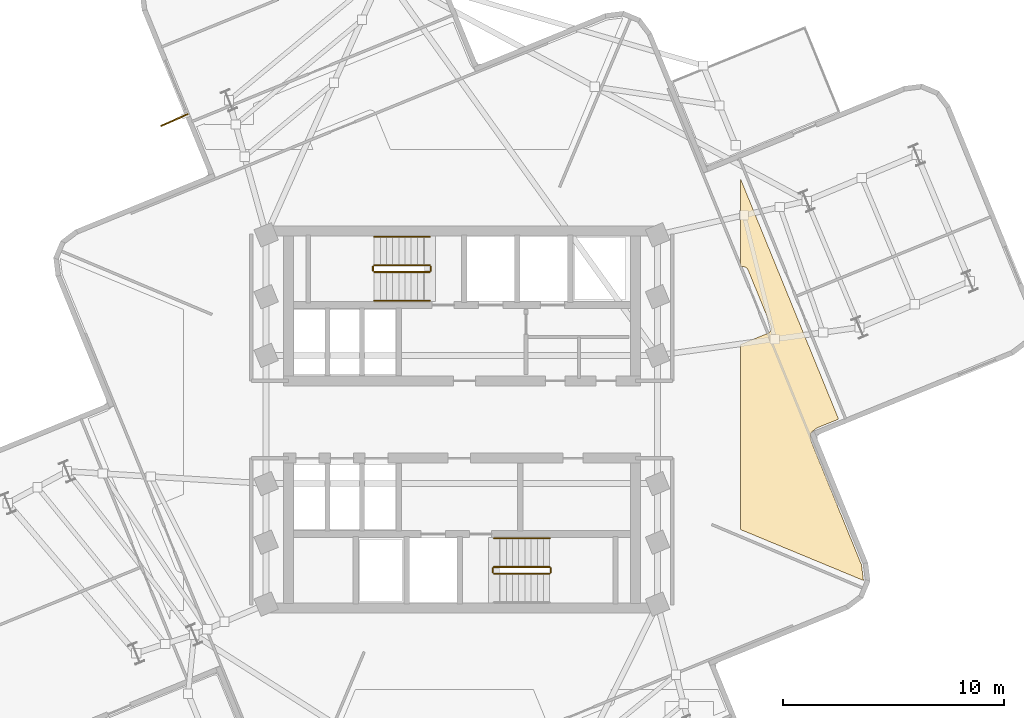
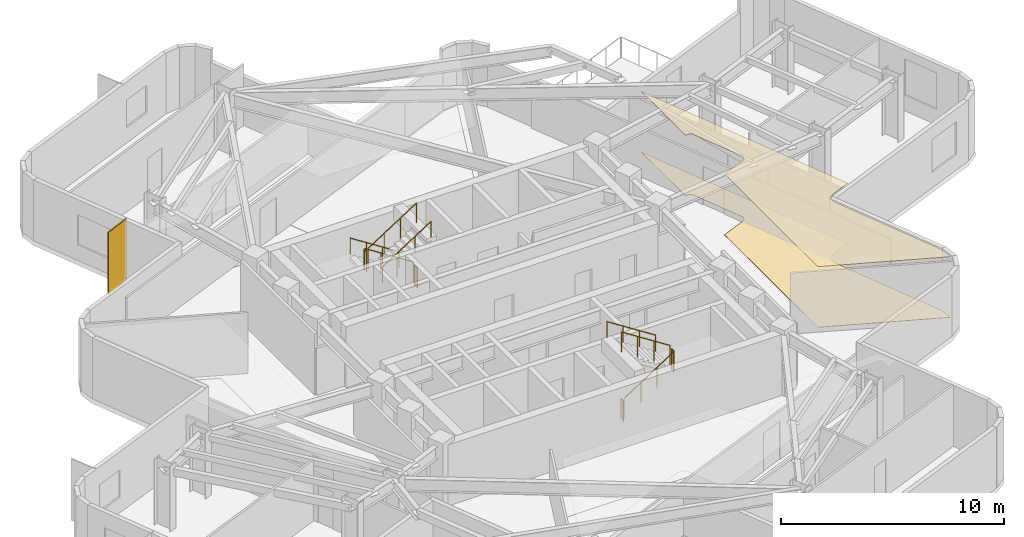
# One storey, part 7 of 8: 11 railings, 2 coverings, 1 shading device.
"""IFC4 building model written with IfcOpenShell, lengths in metres."""

from ifc_helpers import new_model, si_unit, direction, frame, origin, origin_2d, place, context, subcontext, project, spatial, polyline, rectangle, circle, outline, extrude, material, layer, layer_set, type_object, element, save


model = new_model("IFC4")

# Units and contexts
model_context = context("Model", 3, precision=1e-05, world=origin(), true_north=direction((0.0, 1.0)))
body_context = subcontext(model_context, "Body", "Model", "MODEL_VIEW")
ifc_project = project(units=[si_unit("LENGTHUNIT", "METRE"), si_unit("AREAUNIT", "SQUARE_METRE"), si_unit("VOLUMEUNIT", "CUBIC_METRE"), si_unit("PLANEANGLEUNIT", "RADIAN"), si_unit("MASSUNIT", "GRAM", prefix="KILO")], contexts=[model_context])

# Site, building, storey
site_placement = place(None, origin())
site = spatial("IfcSite", under=ifc_project, at=site_placement, CompositionType="ELEMENT")
building_placement = place(site_placement, origin())
building = spatial("IfcBuilding", under=site, at=building_placement, Name="Solmarez Civic Tower", CompositionType="ELEMENT")
storey_placement = place(building_placement, frame((0.0, 0.0, 173.8798828125)))
storey = spatial("IfcBuildingStorey", under=building, at=storey_placement, Name="L46", CompositionType="ELEMENT", Elevation=173.8798828125)

# Coverings
ifc_material_1 = material(Name="Perforated Mineral-Fibre Acoustic Ceiling")
ifc_layer_1 = layer(ifc_material_1, 0.02490234375)
ifc_layer_set_1 = layer_set([ifc_layer_1], Name="Perforated Mineral-Fibre Acoustic Ceiling")
covering_type_1 = type_object("IfcCoveringType", Name="COV-CEIL-ACOUSTIC", PredefinedType="CEILING", material=ifc_layer_set_1)
covering_1_placement = place(storey_placement, frame((0.0, 0.0, 3.315185546875)))
element("IfcCovering", 1, at=covering_1_placement, inside=storey, type_object=covering_type_1, Name="L46 Suspended Acoustic Ceiling 3", PredefinedType="CEILING", context=body_context, shape_type="SweptSolid", body=[
    extrude(outline(polyline([(12.60009765625, 10.887939453125), (12.60009765625, 6.89208984375), (12.613037109375, 6.89697265625), (12.6220703125, 6.89990234375), (12.64892578125, 6.906982421875), (12.654052734375, 6.907958984375), (12.675048828125, 6.910888671875), (12.697021484375, 6.912109375), (12.70703125, 6.912109375), (12.72900390625, 6.910888671875), (12.75, 6.907958984375), (12.7548828125, 6.906982421875), (12.781982421875, 6.89990234375), (12.791015625, 6.89697265625), (12.802978515625, 6.89208984375), (12.80810546875, 6.889892578125), (12.824951171875, 6.882080078125), (12.842041015625, 6.873046875), (12.85791015625, 6.862060546875), (12.865966796875, 6.85595703125), (12.876953125, 6.846923828125), (12.884033203125, 6.841064453125), (12.902099609375, 6.823974609375), (12.9169921875, 6.805908203125), (12.919921875, 6.802001953125), (12.93408203125, 6.781005859375), (12.945068359375, 6.759033203125), (12.948974609375, 6.75), (12.951904296875, 6.743896484375), (13.971923828125, 4.242919921875), (13.97412109375, 4.238037109375), (13.98095703125, 4.218994140625), (13.986083984375, 4.198974609375), (13.987060546875, 4.194091796875), (13.989990234375, 4.175048828125), (13.990966796875, 4.166015625), (13.991943359375, 4.14208984375), (13.991943359375, 4.136962890625), (13.990966796875, 4.114990234375), (13.988037109375, 4.093994140625), (13.987060546875, 4.089111328125), (13.97998046875, 4.06201171875), (13.97705078125, 4.052978515625), (13.971923828125, 4.041015625), (13.969970703125, 4.035888671875), (13.9619140625, 4.01904296875), (13.952880859375, 4.001953125), (13.94189453125, 3.986083984375), (13.93603515625, 3.97802734375), (13.93310546875, 3.97412109375), (13.91796875, 3.9560546875), (13.89990234375, 3.93896484375), (13.89306640625, 3.93310546875), (13.8759765625, 3.919921875), (13.85791015625, 3.908935546875), (13.839111328125, 3.89892578125), (13.830078125, 3.89501953125), (13.823974609375, 3.89208984375), (12.60009765625, 3.39208984375), (12.60009765625, -4.97705078125), (18.157958984375, -7.278076171875), (18.159912109375, -7.27197265625), (18.071044921875, -6.569091796875), (15.81201171875, -1.032958984375), (15.803955078125, -1.010009765625), (15.802001953125, -1.0029296875), (15.800048828125, -0.99609375), (15.7939453125, -0.967041015625), (15.79296875, -0.95703125), (15.77099609375, -0.787109375), (15.76904296875, -0.759033203125), (15.76904296875, -0.742919921875), (15.77099609375, -0.7119140625), (15.77197265625, -0.70703125), (15.77294921875, -0.700927734375), (15.77490234375, -0.68408203125), (15.779052734375, -0.66796875), (15.781005859375, -0.660888671875), (15.791015625, -0.634033203125), (15.7939453125, -0.626953125), (15.804931640625, -0.60498046875), (15.80908203125, -0.597900390625), (15.81689453125, -0.5849609375), (15.821044921875, -0.5791015625), (15.8349609375, -0.56005859375), (15.840087890625, -0.553955078125), (15.85302734375, -0.5390625), (15.85791015625, -0.533935546875), (15.873046875, -0.52099609375), (15.87890625, -0.51611328125), (15.886962890625, -0.510009765625), (16.02392578125, -0.406005859375), (16.034912109375, -0.39794921875), (16.041015625, -0.39404296875), (16.06494140625, -0.3798828125), (16.076904296875, -0.3740234375), (16.092041015625, -0.366943359375), (17.035888671875, 0.01806640625), (12.60009765625, 10.887939453125)])), origin(), (0.0, 0.0, 1.0), 0.02490234375),
])
ifc_material_2 = material(Name="Polished Tropical Stone Terrazzo Flooring", Category="masonry")
ifc_layer_2 = layer(ifc_material_2, 0.02001953125)
ifc_layer_set_2 = layer_set([ifc_layer_2], Name="Polished Tropical Stone Terrazzo Flooring")
covering_type_2 = type_object("IfcCoveringType", Name="COV-FLOOR-TERRAZZO", PredefinedType="FLOORING", material=ifc_layer_set_2)
covering_2_placement = place(storey_placement, origin())
element("IfcCovering", 2, at=covering_2_placement, inside=storey, type_object=covering_type_2, Name="L46 Terrazzo Floor Finish 3", PredefinedType="FLOORING", context=body_context, shape_type="SweptSolid", body=[
    extrude(outline(polyline([(12.60009765625, 10.887939453125), (12.60009765625, 6.89208984375), (12.613037109375, 6.89697265625), (12.6220703125, 6.89990234375), (12.64892578125, 6.906982421875), (12.654052734375, 6.907958984375), (12.675048828125, 6.910888671875), (12.697021484375, 6.912109375), (12.70703125, 6.912109375), (12.72900390625, 6.910888671875), (12.75, 6.907958984375), (12.7548828125, 6.906982421875), (12.781982421875, 6.89990234375), (12.791015625, 6.89697265625), (12.802978515625, 6.89208984375), (12.80810546875, 6.889892578125), (12.824951171875, 6.882080078125), (12.842041015625, 6.873046875), (12.85791015625, 6.862060546875), (12.865966796875, 6.85595703125), (12.876953125, 6.846923828125), (12.884033203125, 6.841064453125), (12.902099609375, 6.823974609375), (12.9169921875, 6.805908203125), (12.919921875, 6.802001953125), (12.93408203125, 6.781005859375), (12.945068359375, 6.759033203125), (12.948974609375, 6.75), (12.951904296875, 6.743896484375), (13.971923828125, 4.242919921875), (13.97412109375, 4.238037109375), (13.98095703125, 4.218994140625), (13.986083984375, 4.198974609375), (13.987060546875, 4.194091796875), (13.989990234375, 4.175048828125), (13.990966796875, 4.166015625), (13.991943359375, 4.14208984375), (13.991943359375, 4.136962890625), (13.990966796875, 4.114990234375), (13.988037109375, 4.093994140625), (13.987060546875, 4.089111328125), (13.97998046875, 4.06201171875), (13.97705078125, 4.052978515625), (13.971923828125, 4.041015625), (13.969970703125, 4.035888671875), (13.9619140625, 4.01904296875), (13.952880859375, 4.001953125), (13.94189453125, 3.986083984375), (13.93603515625, 3.97802734375), (13.93310546875, 3.97412109375), (13.91796875, 3.9560546875), (13.89990234375, 3.93896484375), (13.89306640625, 3.93310546875), (13.8759765625, 3.919921875), (13.85791015625, 3.908935546875), (13.839111328125, 3.89892578125), (13.830078125, 3.89501953125), (13.823974609375, 3.89208984375), (12.60009765625, 3.39208984375), (12.60009765625, -4.97705078125), (18.157958984375, -7.278076171875), (18.159912109375, -7.27197265625), (18.071044921875, -6.569091796875), (15.81201171875, -1.032958984375), (15.803955078125, -1.010009765625), (15.802001953125, -1.0029296875), (15.800048828125, -0.99609375), (15.7939453125, -0.967041015625), (15.79296875, -0.95703125), (15.77099609375, -0.787109375), (15.76904296875, -0.759033203125), (15.76904296875, -0.742919921875), (15.77099609375, -0.7119140625), (15.77197265625, -0.70703125), (15.77294921875, -0.700927734375), (15.77490234375, -0.68408203125), (15.779052734375, -0.66796875), (15.781005859375, -0.660888671875), (15.791015625, -0.634033203125), (15.7939453125, -0.626953125), (15.804931640625, -0.60498046875), (15.80908203125, -0.597900390625), (15.81689453125, -0.5849609375), (15.821044921875, -0.5791015625), (15.8349609375, -0.56005859375), (15.840087890625, -0.553955078125), (15.85302734375, -0.5390625), (15.85791015625, -0.533935546875), (15.873046875, -0.52099609375), (15.87890625, -0.51611328125), (15.886962890625, -0.510009765625), (16.02392578125, -0.406005859375), (16.034912109375, -0.39794921875), (16.041015625, -0.39404296875), (16.06494140625, -0.3798828125), (16.076904296875, -0.3740234375), (16.092041015625, -0.366943359375), (17.035888671875, 0.01806640625), (12.60009765625, 10.887939453125)])), origin(), (0.0, 0.0, 1.0), 0.02001953125),
])

# Shading device
ifc_material_3 = material(Name="Bronze Anodised Aluminium EN AW-6063 T6", Category="aluminium")
ifc_layer_3 = layer(ifc_material_3, 0.06005859375)
ifc_layer_set_3 = layer_set([ifc_layer_3], Name="Bronze Anodised Aluminium EN AW-6063 T6")
shading_device_type = type_object("IfcShadingDeviceType", Name="FIN-BRONZE-Z34", PredefinedType="USERDEFINED", material=ifc_layer_set_3)
shading_device_placement = place(storey_placement, frame((-12.99609375, 13.5458984375, -0.039794921875), z_axis=(0.0, 0.0, 1.0), x_axis=(-0.91664897868, -0.399693194693, 0.0)))
element("IfcShadingDevice", 3, at=shading_device_placement, inside=storey, type_object=shading_device_type, Name="L46 Anodised Bronze Solar Fin FIN-L46-03", ObjectType="FIN", PredefinedType="USERDEFINED", context=body_context, shape_type="SweptSolid", body=[
    extrude(rectangle(XDim=1.35009765625, YDim=0.06005859375, at=origin_2d()), origin(), (0.0, 0.0, 1.0), 3.3798828125),
])

# Railings
ifc_material_4 = material(Name="Painted Steel Stairwell Safety Guard", Category="steel")
railing_type_1 = type_object("IfcRailingType", Name="GUARD-STAIR-1120", PredefinedType="BALUSTRADE", material=ifc_material_4)
railing_1_placement = place(storey_placement, frame((-1.449951171875, 6.969970703125, 0.18017578125)))
element("IfcRailing", 4, at=railing_1_placement, inside=storey, type_object=railing_type_1, Name="L46 ST-1 stair guard 1", PredefinedType="BALUSTRADE", context=body_context, shape_type="SweptSolid", body=[
    extrude(circle(Radius=0.02392578125, at=origin_2d()), frame((0.0, 0.0, 1.09619140625), z_axis=(-0.841199657755, 0.0, 0.540724639528), x_axis=(0.0, -1.0, 0.0)), (0.0, 0.0, 1.0), 2.995849609375),
    extrude(circle(Radius=0.02099609375, at=origin_2d()), origin(), (0.0, 0.0, 1.0), 1.072021484375),
    extrude(circle(Radius=0.02099609375, at=origin_2d()), frame((-0.840087890625, 0.0, 0.5400390625)), (0.0, 0.0, 1.0), 1.072021484375),
    extrude(circle(Radius=0.02099609375, at=origin_2d()), frame((-1.679931640625, 0.0, 1.079833984375)), (0.0, 0.0, 1.0), 1.072021484375),
    extrude(circle(Radius=0.02099609375, at=origin_2d()), frame((-2.52001953125, 0.0, 1.619873046875)), (0.0, 0.0, 1.0), 1.072021484375),
])
railing_2_placement = place(storey_placement, frame((-4.02001953125, 6.919921875, 1.800048828125)))
element("IfcRailing", 5, at=railing_2_placement, inside=storey, type_object=railing_type_1, Name="L46 ST-1 stair guard 2", PredefinedType="BALUSTRADE", context=body_context, shape_type="SweptSolid", body=[
    extrude(circle(Radius=0.02392578125, at=origin_2d()), frame((0.0, 0.0, 1.09619140625), z_axis=(0.0, -1.0, 0.0), x_axis=(1.0, 0.0, 0.0)), (0.0, 0.0, 1.0), 0.199951171875),
    extrude(circle(Radius=0.02099609375, at=origin_2d()), origin(), (0.0, 0.0, 1.0), 1.072021484375),
    extrude(circle(Radius=0.02099609375, at=origin_2d()), frame((0.0, -0.199951171875, 0.0)), (0.0, 0.0, 1.0), 1.072021484375),
])
railing_3_placement = place(storey_placement, frame((-3.969970703125, 6.669921875, 1.980224609375)))
element("IfcRailing", 6, at=railing_3_placement, inside=storey, type_object=railing_type_1, Name="L46 ST-1 stair guard 3", PredefinedType="BALUSTRADE", context=body_context, shape_type="SweptSolid", body=[
    extrude(circle(Radius=0.02392578125, at=origin_2d()), frame((0.0, 0.0, 1.09619140625), z_axis=(0.841199657755, 0.0, 0.540724639528), x_axis=(0.0, 1.0, 0.0)), (0.0, 0.0, 1.0), 2.995849609375),
    extrude(circle(Radius=0.02099609375, at=origin_2d()), origin(), (0.0, 0.0, 1.0), 1.072021484375),
    extrude(circle(Radius=0.02099609375, at=origin_2d()), frame((0.840087890625, 0.0, 0.5400390625)), (0.0, 0.0, 1.0), 1.072021484375),
    extrude(circle(Radius=0.02099609375, at=origin_2d()), frame((1.679931640625, 0.0, 1.079833984375)), (0.0, 0.0, 1.0), 1.072021484375),
    extrude(circle(Radius=0.02099609375, at=origin_2d()), frame((2.52001953125, 0.0, 1.619873046875)), (0.0, 0.0, 1.0), 1.072021484375),
])
railing_4_placement = place(storey_placement, frame((-1.39990234375, 6.919921875, 0.0)))
element("IfcRailing", 7, at=railing_4_placement, inside=storey, type_object=railing_type_1, Name="L46 ST-1 stair guard 4", PredefinedType="BALUSTRADE", context=body_context, shape_type="SweptSolid", body=[
    extrude(circle(Radius=0.02392578125, at=origin_2d()), frame((0.0, 0.0, 1.09619140625), z_axis=(0.0, -1.0, 0.0), x_axis=(1.0, 0.0, 0.0)), (0.0, 0.0, 1.0), 0.199951171875),
    extrude(circle(Radius=0.02099609375, at=origin_2d()), origin(), (0.0, 0.0, 1.0), 1.072021484375),
    extrude(circle(Radius=0.02099609375, at=origin_2d()), frame((0.0, -0.199951171875, 0.0)), (0.0, 0.0, 1.0), 1.072021484375),
])
railing_5_placement = place(storey_placement, frame((1.449951171875, -6.969970703125, 0.18017578125)))
element("IfcRailing", 8, at=railing_5_placement, inside=storey, type_object=railing_type_1, Name="L46 ST-2 stair guard 1", PredefinedType="BALUSTRADE", context=body_context, shape_type="SweptSolid", body=[
    extrude(circle(Radius=0.02392578125, at=origin_2d()), frame((0.0, 0.0, 1.09619140625), z_axis=(0.841199657755, 0.0, 0.540724639528), x_axis=(0.0, 1.0, 0.0)), (0.0, 0.0, 1.0), 2.995849609375),
    extrude(circle(Radius=0.02099609375, at=origin_2d()), origin(), (0.0, 0.0, 1.0), 1.072021484375),
    extrude(circle(Radius=0.02099609375, at=origin_2d()), frame((0.840087890625, 0.0, 0.5400390625)), (0.0, 0.0, 1.0), 1.072021484375),
    extrude(circle(Radius=0.02099609375, at=origin_2d()), frame((1.679931640625, 0.0, 1.079833984375)), (0.0, 0.0, 1.0), 1.072021484375),
    extrude(circle(Radius=0.02099609375, at=origin_2d()), frame((2.52001953125, 0.0, 1.619873046875)), (0.0, 0.0, 1.0), 1.072021484375),
])
railing_6_placement = place(storey_placement, frame((4.02001953125, -6.919921875, 1.800048828125)))
element("IfcRailing", 9, at=railing_6_placement, inside=storey, type_object=railing_type_1, Name="L46 ST-2 stair guard 2", PredefinedType="BALUSTRADE", context=body_context, shape_type="SweptSolid", body=[
    extrude(circle(Radius=0.02392578125, at=origin_2d()), frame((0.0, 0.0, 1.09619140625), z_axis=(0.0, 1.0, 0.0), x_axis=(-1.0, 0.0, 0.0)), (0.0, 0.0, 1.0), 0.199951171875),
    extrude(circle(Radius=0.02099609375, at=origin_2d()), origin(), (0.0, 0.0, 1.0), 1.072021484375),
    extrude(circle(Radius=0.02099609375, at=origin_2d()), frame((0.0, 0.199951171875, 0.0)), (0.0, 0.0, 1.0), 1.072021484375),
])
railing_7_placement = place(storey_placement, frame((3.969970703125, -6.669921875, 1.980224609375)))
element("IfcRailing", 10, at=railing_7_placement, inside=storey, type_object=railing_type_1, Name="L46 ST-2 stair guard 3", PredefinedType="BALUSTRADE", context=body_context, shape_type="SweptSolid", body=[
    extrude(circle(Radius=0.02392578125, at=origin_2d()), frame((0.0, 0.0, 1.09619140625), z_axis=(-0.841199657755, 0.0, 0.540724639528), x_axis=(0.0, -1.0, 0.0)), (0.0, 0.0, 1.0), 2.995849609375),
    extrude(circle(Radius=0.02099609375, at=origin_2d()), origin(), (0.0, 0.0, 1.0), 1.072021484375),
    extrude(circle(Radius=0.02099609375, at=origin_2d()), frame((-0.840087890625, 0.0, 0.5400390625)), (0.0, 0.0, 1.0), 1.072021484375),
    extrude(circle(Radius=0.02099609375, at=origin_2d()), frame((-1.679931640625, 0.0, 1.079833984375)), (0.0, 0.0, 1.0), 1.072021484375),
    extrude(circle(Radius=0.02099609375, at=origin_2d()), frame((-2.52001953125, 0.0, 1.619873046875)), (0.0, 0.0, 1.0), 1.072021484375),
])
railing_8_placement = place(storey_placement, frame((1.39990234375, -6.919921875, 0.0)))
element("IfcRailing", 11, at=railing_8_placement, inside=storey, type_object=railing_type_1, Name="L46 ST-2 stair guard 4", PredefinedType="BALUSTRADE", context=body_context, shape_type="SweptSolid", body=[
    extrude(circle(Radius=0.02392578125, at=origin_2d()), frame((0.0, 0.0, 1.09619140625), z_axis=(0.0, 1.0, 0.0), x_axis=(-1.0, 0.0, 0.0)), (0.0, 0.0, 1.0), 0.199951171875),
    extrude(circle(Radius=0.02099609375, at=origin_2d()), origin(), (0.0, 0.0, 1.0), 1.072021484375),
    extrude(circle(Radius=0.02099609375, at=origin_2d()), frame((0.0, 0.199951171875, 0.0)), (0.0, 0.0, 1.0), 1.072021484375),
])
ifc_material_5 = material(Name="Brushed Stainless Steel Tube Handrail", Category="steel")
railing_type_2 = type_object("IfcRailingType", Name="HANDRAIL-STAIR-900", PredefinedType="HANDRAIL", material=ifc_material_5)
railing_9_placement = place(storey_placement, frame((-1.449951171875, 8.27001953125, 0.18017578125)))
element("IfcRailing", 12, at=railing_9_placement, inside=storey, type_object=railing_type_2, Name="L46 ST-1 stair handrail 1", PredefinedType="HANDRAIL", context=body_context, shape_type="SweptSolid", body=[
    extrude(circle(Radius=0.02392578125, at=origin_2d()), frame((0.0, 0.0, 0.8759765625), z_axis=(-0.841199657755, 0.0, 0.540724639528), x_axis=(0.0, -1.0, 0.0)), (0.0, 0.0, 1.0), 2.995849609375),
    extrude(circle(Radius=0.02099609375, at=origin_2d()), origin(), (0.0, 0.0, 1.0), 0.851806640625),
    extrude(circle(Radius=0.02099609375, at=origin_2d()), frame((-0.840087890625, 0.0, 0.5400390625)), (0.0, 0.0, 1.0), 0.851806640625),
    extrude(circle(Radius=0.02099609375, at=origin_2d()), frame((-1.679931640625, 0.0, 1.079833984375)), (0.0, 0.0, 1.0), 0.851806640625),
    extrude(circle(Radius=0.02099609375, at=origin_2d()), frame((-2.52001953125, 0.0, 1.619873046875)), (0.0, 0.0, 1.0), 0.851806640625),
])
railing_10_placement = place(storey_placement, frame((-3.969970703125, 5.3701171875, 1.980224609375)))
element("IfcRailing", 13, at=railing_10_placement, inside=storey, type_object=railing_type_2, Name="L46 ST-1 stair handrail 2", PredefinedType="HANDRAIL", context=body_context, shape_type="SweptSolid", body=[
    extrude(circle(Radius=0.02392578125, at=origin_2d()), frame((0.0, 0.0, 0.8759765625), z_axis=(0.841199657755, 0.0, 0.540724639528), x_axis=(0.0, 1.0, 0.0)), (0.0, 0.0, 1.0), 2.995849609375),
    extrude(circle(Radius=0.02099609375, at=origin_2d()), origin(), (0.0, 0.0, 1.0), 0.851806640625),
    extrude(circle(Radius=0.02099609375, at=origin_2d()), frame((0.840087890625, 0.0, 0.5400390625)), (0.0, 0.0, 1.0), 0.851806640625),
    extrude(circle(Radius=0.02099609375, at=origin_2d()), frame((1.679931640625, 0.0, 1.079833984375)), (0.0, 0.0, 1.0), 0.851806640625),
    extrude(circle(Radius=0.02099609375, at=origin_2d()), frame((2.52001953125, 0.0, 1.619873046875)), (0.0, 0.0, 1.0), 0.851806640625),
])
railing_11_placement = place(storey_placement, frame((3.969970703125, -5.3701171875, 1.980224609375)))
element("IfcRailing", 14, at=railing_11_placement, inside=storey, type_object=railing_type_2, Name="L46 ST-2 stair handrail 2", PredefinedType="HANDRAIL", context=body_context, shape_type="SweptSolid", body=[
    extrude(circle(Radius=0.02392578125, at=origin_2d()), frame((0.0, 0.0, 0.8759765625), z_axis=(-0.841199657755, 0.0, 0.540724639528), x_axis=(0.0, -1.0, 0.0)), (0.0, 0.0, 1.0), 2.995849609375),
    extrude(circle(Radius=0.02099609375, at=origin_2d()), origin(), (0.0, 0.0, 1.0), 0.851806640625),
    extrude(circle(Radius=0.02099609375, at=origin_2d()), frame((-0.840087890625, 0.0, 0.5400390625)), (0.0, 0.0, 1.0), 0.851806640625),
    extrude(circle(Radius=0.02099609375, at=origin_2d()), frame((-1.679931640625, 0.0, 1.079833984375)), (0.0, 0.0, 1.0), 0.851806640625),
    extrude(circle(Radius=0.02099609375, at=origin_2d()), frame((-2.52001953125, 0.0, 1.619873046875)), (0.0, 0.0, 1.0), 0.851806640625),
])

save(model, "model.ifc")
